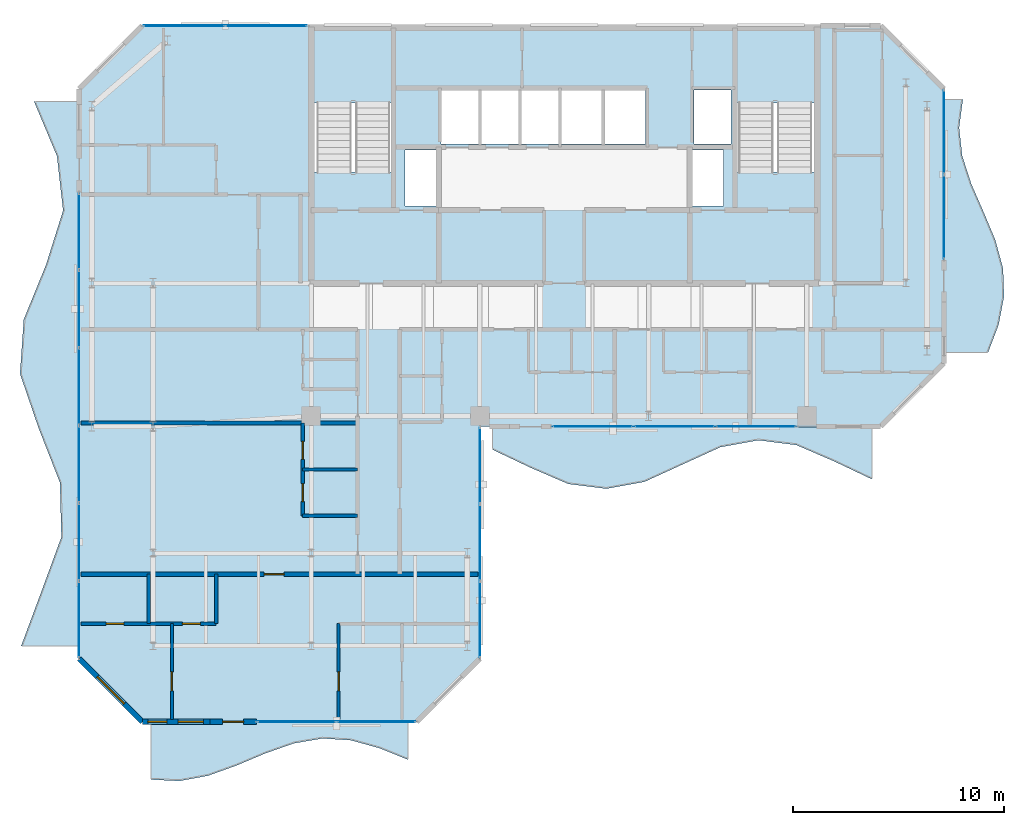
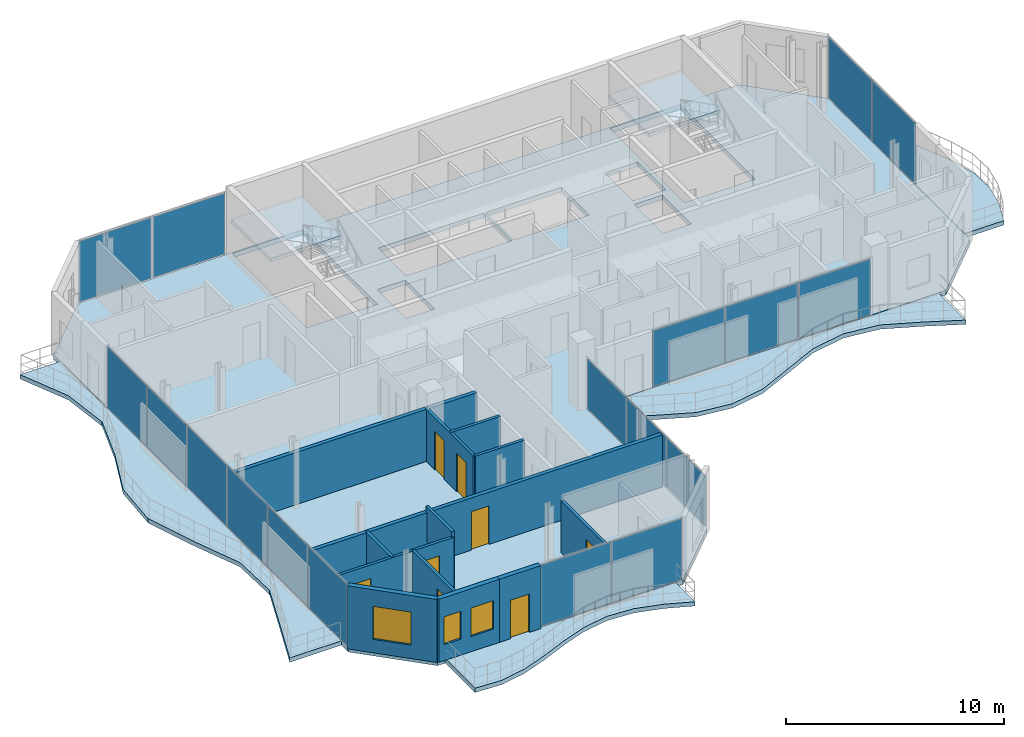
# One storey, part 17 of 22: 18 plates, 13 walls, 8 doors, 7 slabs, 3 windows, 11 openings, 8 elements without a shape of their own.
"""IFC4 building model written with IfcOpenShell, lengths in metres."""

import ifcopenshell
import ifcopenshell.guid

model = None  # the IFC model being written
_history = None  # IfcOwnerHistory: only IFC2X3 demands one
_inside = {}  # id of a spatial element -> (the spatial element, [elements in it])
_under = {}  # id of a project, library or spatial element -> (it, [spatial elements below it])
_declared = {}  # id of a project -> (the project, [libraries it declares])
_typed = {}  # id of a type object -> (the type object, [elements of that type])
_made_of = {}  # id of a material, layer set ... -> (it, [elements and type objects made of it])


def new_model(schema):
    """Start an empty IFC model of exactly this schema.

    Asked for "IFC4X3", IfcOpenShell would pick the latest addendum, in which some entities
    have other attributes; the version numbers below select the first issue.
    IFC2X3 requires an IfcOwnerHistory on every rooted entity: one is made here for all.
    """
    global model, _history
    if schema == "IFC4X3":
        model = ifcopenshell.file(schema_version=(4, 3, 0, 0))
    else:
        model = ifcopenshell.file(schema=schema)
    _inside.clear()
    _under.clear()
    _declared.clear()
    _typed.clear()
    _made_of.clear()
    _history = None
    if model.schema == "IFC2X3":
        org = make("IfcOrganization", Name="unknown")
        user = make(
            "IfcPersonAndOrganization",
            ThePerson=make("IfcPerson", FamilyName="unknown"),
            TheOrganization=org,
        )
        app = make(
            "IfcApplication",
            ApplicationDeveloper=org,
            Version="unknown",
            ApplicationFullName="unknown",
            ApplicationIdentifier="unknown",
        )
        _history = make(
            "IfcOwnerHistory",
            OwningUser=user,
            OwningApplication=app,
            ChangeAction="ADDED",
            CreationDate=0,
        )
    return model


def make(cls, **values):
    """One entity of the class cls with the attributes given. An attribute that is None is left unset."""
    return model.create_entity(
        cls, **{name: value for name, value in values.items() if value is not None}
    )


def rooted(cls, **values):
    """An entity with a GlobalId (a new one), such as an element, a storey or a relation."""
    return make(cls, GlobalId=ifcopenshell.guid.new(), OwnerHistory=_history, **values)


def si_unit(unit_type, name, prefix=None):
    """IfcSIUnit, for example si_unit("LENGTHUNIT", "METRE", prefix="MILLI")."""
    return make("IfcSIUnit", UnitType=unit_type, Prefix=prefix, Name=name)


def assignment(units):
    """IfcUnitAssignment: the units of a project."""
    return None if units is None else make("IfcUnitAssignment", Units=units)


def point(xyz):
    """IfcCartesianPoint."""
    return None if xyz is None else make("IfcCartesianPoint", Coordinates=xyz)


def direction(xyz):
    """IfcDirection."""
    return None if xyz is None else make("IfcDirection", DirectionRatios=xyz)


def frame(location, z_axis=None, x_axis=None):
    """IfcAxis2Placement3D, a coordinate frame: its origin and axes. An axis left out is left unset."""
    return make(
        "IfcAxis2Placement3D",
        Location=point(location),
        Axis=direction(z_axis),
        RefDirection=direction(x_axis),
    )


def frame_2d(location, x_axis=None):
    """IfcAxis2Placement2D, a coordinate frame in the plane: its origin and x axis."""
    return make(
        "IfcAxis2Placement2D", Location=point(location), RefDirection=direction(x_axis)
    )


def origin():
    """The frame at (0, 0, 0) with its axes left unset."""
    return frame((0.0, 0.0, 0.0))


def origin_2d():
    """The frame at (0, 0) in the plane with its x axis left unset."""
    return frame_2d((0.0, 0.0))


def place(relative_to, where):
    """IfcLocalPlacement: puts the frame where relative to a parent placement (None: the world)."""
    return make(
        "IfcLocalPlacement", PlacementRelTo=relative_to, RelativePlacement=where
    )


def context(
    kind, dimensions, precision=None, world=None, true_north=None, identifier=None
):
    """IfcGeometricRepresentationContext, for example the 3D "Model" context."""
    return make(
        "IfcGeometricRepresentationContext",
        ContextIdentifier=identifier,
        ContextType=kind,
        CoordinateSpaceDimension=dimensions,
        Precision=precision,
        WorldCoordinateSystem=world,
        TrueNorth=true_north,
    )


def subcontext(parent, identifier, kind, view, scale=None):
    """IfcGeometricRepresentationSubContext, for example "Body" below "Model"."""
    return make(
        "IfcGeometricRepresentationSubContext",
        ContextIdentifier=identifier,
        ContextType=kind,
        ParentContext=parent,
        TargetScale=scale,
        TargetView=view,
    )


def project(units=None, contexts=None):
    """IfcProject with its units and contexts."""
    return rooted(
        "IfcProject",
        Name="project",
        RepresentationContexts=contexts,
        UnitsInContext=assignment(units),
    )


def spatial(cls, under=None, at=None, **own):
    """A site, building, storey or space (cls), placed at a placement, below another one or the project."""
    s = rooted(cls, ObjectPlacement=at, **own)
    if under is not None:
        _under.setdefault(under.id(), (under, []))[1].append(s)
    return s


def polyline(points):
    """IfcPolyline through the points."""
    return make("IfcPolyline", Points=[point(p) for p in points])


def profile(cls, at=None, kind="AREA", **sizes):
    """A parametric profile (cls). Its sizes go by their IFC names, for example OverallWidth=200.0."""
    return make(cls, ProfileType=kind, Position=at, **sizes)


def rectangle(**sizes):
    """IfcRectangleProfileDef."""
    return profile("IfcRectangleProfileDef", **sizes)


def outline(outer, holes=None, kind="AREA"):
    """IfcArbitraryClosedProfileDef: a profile drawn as a closed curve; with holes, ...WithVoids."""
    if holes is None:
        return make("IfcArbitraryClosedProfileDef", ProfileType=kind, OuterCurve=outer)
    return make(
        "IfcArbitraryProfileDefWithVoids",
        ProfileType=kind,
        OuterCurve=outer,
        InnerCurves=holes,
    )


def extrude(swept, where, along, depth):
    """IfcExtrudedAreaSolid: the profile swept, set in the frame where, extruded along a direction by depth."""
    return make(
        "IfcExtrudedAreaSolid",
        SweptArea=swept,
        Position=where,
        ExtrudedDirection=direction(along),
        Depth=depth,
    )


def shape(context_of_items, identifier, shape_type, items):
    """IfcShapeRepresentation: the items that make up one representation, for example the "Body"."""
    return make(
        "IfcShapeRepresentation",
        ContextOfItems=context_of_items,
        RepresentationIdentifier=identifier,
        RepresentationType=shape_type,
        Items=items,
    )


def material(Name=None, Category=None):
    """IfcMaterial."""
    return make("IfcMaterial", Name=Name, Category=Category)


def layer(
    of_material, thickness, ventilated=None, Name=None, Category=None, Priority=None
):
    """IfcMaterialLayer: one layer of a wall or slab, of a material (None: an air gap)."""
    return make(
        "IfcMaterialLayer",
        Material=of_material,
        LayerThickness=thickness,
        IsVentilated=ventilated,
        Name=Name,
        Category=Category,
        Priority=Priority,
    )


def layer_set(layers, Name=None):
    """IfcMaterialLayerSet."""
    return make("IfcMaterialLayerSet", MaterialLayers=layers, LayerSetName=Name)


def made_of(thing, what):
    """Note that an element or type object is made of a material, layer set ...; save() writes the relation."""
    if what is not None:
        _made_of.setdefault(what.id(), (what, []))[1].append(thing)
    return thing


def type_object(cls, material=None, **own):
    """A type object (cls), such as IfcWallType, which elements share."""
    return made_of(rooted(cls, **own), material)


def element(
    cls,
    number,
    at=None,
    inside=None,
    cuts=None,
    type_object=None,
    material=None,
    context=None,
    identifier="Body",
    shape_type=None,
    held_by="IfcProductDefinitionShape",
    body=None,
    shapes=None,
    **own,
):
    """One element of the class cls, such as IfcWall. Its Tag is "e" and its number.

    at: its placement. inside: the storey or other place that contains it. cuts: it is an
    opening in that element (IfcRelVoidsElement). A single representation is given by context,
    identifier, shape_type and body (its items); several are given by shapes. held_by: the class
    of the entity that holds the representations. save() writes the other relations.
    """
    e = rooted(cls, Tag="e%d" % number, ObjectPlacement=at, **own)
    if body is not None:
        shapes = [shape(context, identifier, shape_type, body)]
    if shapes is not None:
        e.Representation = make(held_by, Representations=shapes)
    if inside is not None:
        _inside.setdefault(inside.id(), (inside, []))[1].append(e)
    if cuts is not None:
        rooted(
            "IfcRelVoidsElement", RelatingBuildingElement=cuts, RelatedOpeningElement=e
        )
    if type_object is not None:
        _typed.setdefault(type_object.id(), (type_object, []))[1].append(e)
    return made_of(e, material)


def fill(opening, filler):
    """IfcRelFillsElement: the door or window that sits in an opening."""
    return rooted(
        "IfcRelFillsElement",
        RelatingOpeningElement=opening,
        RelatedBuildingElement=filler,
    )


def aggregate(whole, parts):
    """IfcRelAggregates: a whole, such as a stair, and the parts it consists of."""
    return rooted("IfcRelAggregates", RelatingObject=whole, RelatedObjects=parts)


def save(model, path):
    """Write the relations noted so far, then the file.

    IfcRelAggregates (storeys below a building ...), IfcRelContainedInSpatialStructure (elements
    in a storey), IfcRelDefinesByType, IfcRelAssociatesMaterial and IfcRelDeclares: one each for
    every whole, place, type object, material and project.
    """
    for whole, parts in _under.values():
        aggregate(whole, parts)
    for where, things in _inside.values():
        rooted(
            "IfcRelContainedInSpatialStructure",
            RelatedElements=things,
            RelatingStructure=where,
        )
    for kind, things in _typed.values():
        rooted("IfcRelDefinesByType", RelatedObjects=things, RelatingType=kind)
    for what, things in _made_of.values():
        rooted("IfcRelAssociatesMaterial", RelatedObjects=things, RelatingMaterial=what)
    for by, libraries in _declared.values():
        rooted("IfcRelDeclares", RelatingContext=by, RelatedDefinitions=libraries)
    model.write(path)


model = new_model("IFC4")

# Units and contexts
model_context = context("Model", 3, precision=1e-05, world=origin(), true_north=direction((0.0, 1.0)))
body_context = subcontext(model_context, "Body", "Model", "MODEL_VIEW")
ifc_project = project(units=[si_unit("LENGTHUNIT", "METRE"), si_unit("AREAUNIT", "SQUARE_METRE"), si_unit("VOLUMEUNIT", "CUBIC_METRE"), si_unit("PLANEANGLEUNIT", "RADIAN"), si_unit("MASSUNIT", "GRAM", prefix="KILO")], contexts=[model_context])

# Site, building, storey
site_placement = place(None, origin())
site = spatial("IfcSite", under=ifc_project, at=site_placement, CompositionType="ELEMENT")
building_placement = place(site_placement, origin())
building = spatial("IfcBuilding", under=site, at=building_placement, Name="Catumbela Crestline Tower", CompositionType="ELEMENT")
storey_placement = place(building_placement, frame((0.0, 0.0, 233.6)))
storey = spatial("IfcBuildingStorey", under=building, at=storey_placement, Name="L60", CompositionType="ELEMENT", Elevation=233.6)

# Curtain wall, plates
ifc_material_1 = material(Name="Aluminium alloy AW-6060-T66", Category="aluminium")
ifc_layer_1 = layer(ifc_material_1, 0.18, Name="Aluminium alloy AW-6060-T66")
ifc_layer_set_1 = layer_set([ifc_layer_1], Name="Aluminium alloy AW-6060-T66")
curtain_wall_type = type_object("IfcCurtainWallType", Name="CWU-Z4", PredefinedType="USERDEFINED", material=ifc_layer_set_1)
curtain_wall_1_placement = place(storey_placement, origin())
curtain_wall_1 = element("IfcCurtainWall", 1, at=curtain_wall_1_placement, inside=storey, type_object=curtain_wall_type, Name="L60 Unitised Curtain Wall CW-L60-E0S2", ObjectType="UNITISED", PredefinedType="USERDEFINED")
ifc_material_2 = material(Name="Low-E laminated solar-control double glazing", Category="glass")
ifc_layer_2 = layer(ifc_material_2, 0.036, Name="Low-E laminated solar-control double glazing")
ifc_layer_set_2 = layer_set([ifc_layer_2], Name="Low-E laminated solar-control double glazing")
plate_type = type_object("IfcPlateType", Name="PNL-GLZ-Z4", PredefinedType="CURTAIN_PANEL", material=ifc_layer_set_2)
plate_1_placement = place(storey_placement, frame((15.3162, 10.0, 0.06), z_axis=(0.0, 0.0, 1.0), x_axis=(1.0, 0.0, 0.0)))
plate_1 = element("IfcPlate", 2, at=plate_1_placement, type_object=plate_type, Name="CWU-Z4 panel 1.1", PredefinedType="CURTAIN_PANEL", context=body_context, shape_type="SweptSolid", body=[
    extrude(rectangle(XDim=3.7025, YDim=0.034, at=origin_2d()), origin(), (0.0, 0.0, 1.0), 3.41),
])
plate_2_placement = place(storey_placement, frame((19.0837, 10.0, 0.06), z_axis=(0.0, 0.0, 1.0), x_axis=(1.0, 0.0, 0.0)))
plate_2 = element("IfcPlate", 3, at=plate_2_placement, type_object=plate_type, Name="CWU-Z4 panel 2.1", PredefinedType="CURTAIN_PANEL", context=body_context, shape_type="SweptSolid", body=[
    extrude(rectangle(XDim=3.7025, YDim=0.034, at=origin_2d()), origin(), (0.0, 0.0, 1.0), 3.41),
])
aggregate(curtain_wall_1, [plate_1, plate_2])

curtain_wall_2_placement = place(storey_placement, origin())
curtain_wall_2 = element("IfcCurtainWall", 4, at=curtain_wall_2_placement, inside=storey, type_object=curtain_wall_type, Name="L60 Unitised Curtain Wall CW-L60-E2S1", ObjectType="UNITISED", PredefinedType="USERDEFINED")
plate_3_placement = place(storey_placement, frame((24.0, 14.8496, 0.06), z_axis=(0.0, 0.0, 1.0), x_axis=(0.0, 1.0, 0.0)))
plate_3 = element("IfcPlate", 5, at=plate_3_placement, type_object=plate_type, Name="CWU-Z4 panel 1.1", PredefinedType="CURTAIN_PANEL", context=body_context, shape_type="SweptSolid", body=[
    extrude(rectangle(XDim=3.5692, YDim=0.034, at=origin_2d()), origin(), (0.0, 0.0, 1.0), 2.8),
])
plate_4_placement = place(storey_placement, frame((24.0, 18.5, 0.06), z_axis=(0.0, 0.0, 1.0), x_axis=(0.0, 1.0, 0.0)))
plate_4 = element("IfcPlate", 6, at=plate_4_placement, type_object=plate_type, Name="CWU-Z4 panel 2.1", PredefinedType="CURTAIN_PANEL", context=body_context, shape_type="SweptSolid", body=[
    extrude(rectangle(XDim=3.6017, YDim=0.034, at=origin_2d()), origin(), (0.0, 0.0, 1.0), 2.8),
])
plate_5_placement = place(storey_placement, frame((24.0, 22.1504, 0.06), z_axis=(0.0, 0.0, 1.0), x_axis=(0.0, 1.0, 0.0)))
plate_5 = element("IfcPlate", 7, at=plate_5_placement, type_object=plate_type, Name="CWU-Z4 panel 3.1", PredefinedType="CURTAIN_PANEL", context=body_context, shape_type="SweptSolid", body=[
    extrude(rectangle(XDim=3.5692, YDim=0.034, at=origin_2d()), origin(), (0.0, 0.0, 1.0), 2.8),
])
aggregate(curtain_wall_2, [plate_3, plate_4, plate_5])

curtain_wall_3_placement = place(storey_placement, origin())
curtain_wall_3 = element("IfcCurtainWall", 8, at=curtain_wall_3_placement, inside=storey, type_object=curtain_wall_type, Name="L60 Unitised Curtain Wall CW-L60-E3S2", ObjectType="UNITISED", PredefinedType="USERDEFINED")
plate_6_placement = place(storey_placement, frame((29.3579, 24.0, 0.06), z_axis=(0.0, 0.0, 1.0), x_axis=(1.0, 0.0, 0.0)))
plate_6 = element("IfcPlate", 9, at=plate_6_placement, type_object=plate_type, Name="CWU-Z4 panel 1.1", PredefinedType="CURTAIN_PANEL", context=body_context, shape_type="SweptSolid", body=[
    extrude(rectangle(XDim=3.7858, YDim=0.034, at=origin_2d()), origin(), (0.0, 0.0, 1.0), 3.12),
])
plate_7_placement = place(storey_placement, frame((33.225, 24.0, 0.06), z_axis=(0.0, 0.0, 1.0), x_axis=(1.0, 0.0, 0.0)))
plate_7 = element("IfcPlate", 10, at=plate_7_placement, type_object=plate_type, Name="CWU-Z4 panel 2.1", PredefinedType="CURTAIN_PANEL", context=body_context, shape_type="SweptSolid", body=[
    extrude(rectangle(XDim=3.8183, YDim=0.034, at=origin_2d()), origin(), (0.0, 0.0, 1.0), 3.12),
])
plate_8_placement = place(storey_placement, frame((37.0921, 24.0, 0.06), z_axis=(0.0, 0.0, 1.0), x_axis=(1.0, 0.0, 0.0)))
plate_8 = element("IfcPlate", 11, at=plate_8_placement, type_object=plate_type, Name="CWU-Z4 panel 3.1", PredefinedType="CURTAIN_PANEL", context=body_context, shape_type="SweptSolid", body=[
    extrude(rectangle(XDim=3.7858, YDim=0.034, at=origin_2d()), origin(), (0.0, 0.0, 1.0), 3.12),
])
aggregate(curtain_wall_3, [plate_6, plate_7, plate_8])

curtain_wall_4_placement = place(storey_placement, origin())
curtain_wall_4 = element("IfcCurtainWall", 12, at=curtain_wall_4_placement, inside=storey, type_object=curtain_wall_type, Name="L60 Unitised Curtain Wall CW-L60-E5S2", ObjectType="UNITISED", PredefinedType="USERDEFINED")
plate_9_placement = place(storey_placement, frame((46.0, 33.9412, 0.06), z_axis=(0.0, 0.0, 1.0), x_axis=(0.0, 1.0, 0.0)))
plate_9 = element("IfcPlate", 13, at=plate_9_placement, type_object=plate_type, Name="CWU-Z4 panel 1.1", PredefinedType="CURTAIN_PANEL", context=body_context, shape_type="SweptSolid", body=[
    extrude(rectangle(XDim=3.9525, YDim=0.034, at=origin_2d()), origin(), (0.0, 0.0, 1.0), 3.41),
])
plate_10_placement = place(storey_placement, frame((46.0, 37.9588, 0.06), z_axis=(0.0, 0.0, 1.0), x_axis=(0.0, 1.0, 0.0)))
plate_10 = element("IfcPlate", 14, at=plate_10_placement, type_object=plate_type, Name="CWU-Z4 panel 2.1", PredefinedType="CURTAIN_PANEL", context=body_context, shape_type="SweptSolid", body=[
    extrude(rectangle(XDim=3.9525, YDim=0.034, at=origin_2d()), origin(), (0.0, 0.0, 1.0), 3.41),
])
aggregate(curtain_wall_4, [plate_9, plate_10])

curtain_wall_5_placement = place(storey_placement, origin())
curtain_wall_5 = element("IfcCurtainWall", 15, at=curtain_wall_5_placement, inside=storey, type_object=curtain_wall_type, Name="L60 Unitised Curtain Wall CW-L60-E7S2", ObjectType="UNITISED", PredefinedType="USERDEFINED")
plate_11_placement = place(storey_placement, frame((13.8788, 43.0, 0.06), z_axis=(0.0, 0.0, 1.0), x_axis=(-1.0, 0.0, 0.0)))
plate_11 = element("IfcPlate", 16, at=plate_11_placement, type_object=plate_type, Name="CWU-Z4 panel 1.1", PredefinedType="CURTAIN_PANEL", context=body_context, shape_type="SweptSolid", body=[
    extrude(rectangle(XDim=3.8325, YDim=0.034, at=origin_2d()), origin(), (0.0, 0.0, 1.0), 3.41),
])
plate_12_placement = place(storey_placement, frame((9.9812, 43.0, 0.06), z_axis=(0.0, 0.0, 1.0), x_axis=(-1.0, 0.0, 0.0)))
plate_12 = element("IfcPlate", 17, at=plate_12_placement, type_object=plate_type, Name="CWU-Z4 panel 2.1", PredefinedType="CURTAIN_PANEL", context=body_context, shape_type="SweptSolid", body=[
    extrude(rectangle(XDim=3.8325, YDim=0.034, at=origin_2d()), origin(), (0.0, 0.0, 1.0), 3.41),
])
aggregate(curtain_wall_5, [plate_11, plate_12])

curtain_wall_6_placement = place(storey_placement, origin())
curtain_wall_6 = element("IfcCurtainWall", 18, at=curtain_wall_6_placement, inside=storey, type_object=curtain_wall_type, Name="L60 Unitised Curtain Wall CW-L60-E9S2", ObjectType="UNITISED", PredefinedType="USERDEFINED")
plate_13_placement = place(storey_placement, frame((5.0, 33.2421, 0.06), z_axis=(0.0, 0.0, 1.0), x_axis=(0.0, -1.0, 0.0)))
plate_13 = element("IfcPlate", 19, at=plate_13_placement, type_object=plate_type, Name="CWU-Z4 panel 1.1", PredefinedType="CURTAIN_PANEL", context=body_context, shape_type="SweptSolid", body=[
    extrude(rectangle(XDim=3.5858, YDim=0.034, at=origin_2d()), origin(), (0.0, 0.0, 1.0), 3.41),
])
plate_14_placement = place(storey_placement, frame((5.0, 29.575, 0.06), z_axis=(0.0, 0.0, 1.0), x_axis=(0.0, -1.0, 0.0)))
plate_14 = element("IfcPlate", 20, at=plate_14_placement, type_object=plate_type, Name="CWU-Z4 panel 2.1", PredefinedType="CURTAIN_PANEL", context=body_context, shape_type="SweptSolid", body=[
    extrude(rectangle(XDim=3.6183, YDim=0.034, at=origin_2d()), origin(), (0.0, 0.0, 1.0), 3.41),
])
plate_15_placement = place(storey_placement, frame((5.0, 25.8917, 0.06), z_axis=(0.0, 0.0, 1.0), x_axis=(0.0, -1.0, 0.0)))
plate_15 = element("IfcPlate", 21, at=plate_15_placement, type_object=plate_type, Name="CWU-Z4 panel 3.1", PredefinedType="CURTAIN_PANEL", context=body_context, shape_type="SweptSolid", body=[
    extrude(rectangle(XDim=3.6183, YDim=0.034, at=origin_2d()), origin(), (0.0, 0.0, 1.0), 3.41),
])
plate_16_placement = place(storey_placement, frame((5.0, 22.2083, 0.06), z_axis=(0.0, 0.0, 1.0), x_axis=(0.0, -1.0, 0.0)))
plate_16 = element("IfcPlate", 22, at=plate_16_placement, type_object=plate_type, Name="CWU-Z4 panel 4.1", PredefinedType="CURTAIN_PANEL", context=body_context, shape_type="SweptSolid", body=[
    extrude(rectangle(XDim=3.6183, YDim=0.034, at=origin_2d()), origin(), (0.0, 0.0, 1.0), 3.41),
])
plate_17_placement = place(storey_placement, frame((5.0, 18.525, 0.06), z_axis=(0.0, 0.0, 1.0), x_axis=(0.0, -1.0, 0.0)))
plate_17 = element("IfcPlate", 23, at=plate_17_placement, type_object=plate_type, Name="CWU-Z4 panel 5.1", PredefinedType="CURTAIN_PANEL", context=body_context, shape_type="SweptSolid", body=[
    extrude(rectangle(XDim=3.6183, YDim=0.034, at=origin_2d()), origin(), (0.0, 0.0, 1.0), 3.41),
])
plate_18_placement = place(storey_placement, frame((5.0, 14.8579, 0.06), z_axis=(0.0, 0.0, 1.0), x_axis=(0.0, -1.0, 0.0)))
plate_18 = element("IfcPlate", 24, at=plate_18_placement, type_object=plate_type, Name="CWU-Z4 panel 6.1", PredefinedType="CURTAIN_PANEL", context=body_context, shape_type="SweptSolid", body=[
    extrude(rectangle(XDim=3.5858, YDim=0.034, at=origin_2d()), origin(), (0.0, 0.0, 1.0), 3.41),
])
aggregate(curtain_wall_6, [plate_13, plate_14, plate_15, plate_16, plate_17, plate_18])

# Stair, slab
ifc_material_3 = material(Name="Concrete C45/55", Category="concrete")
stair_type = type_object("IfcStairType", Name="ST-DLG", PredefinedType="HALF_TURN_STAIR", material=ifc_material_3)
stair_1_placement = place(storey_placement, origin())
stair_1 = element("IfcStair", 25, at=stair_1_placement, inside=storey, type_object=stair_type, Name="L60 West Core Pressurised Exit Stair ST-01", PredefinedType="HALF_TURN_STAIR")
ifc_layer_3 = layer(ifc_material_3, 0.2, Name="Concrete C45/55")
ifc_layer_set_3 = layer_set([ifc_layer_3], Name="Concrete C45/55")
slab_type_1 = type_object("IfcSlabType", Name="SL-LND", PredefinedType="LANDING", material=ifc_layer_set_3)
slab_1_placement = place(storey_placement, frame((0.0, 0.0, 1.7)))
slab_1 = element("IfcSlab", 26, at=slab_1_placement, type_object=slab_type_1, Name="ST-01 landing 1", PredefinedType="LANDING", context=body_context, shape_type="SweptSolid", body=[
    extrude(outline(polyline([(19.91, 39.33), (19.91, 42.96), (16.09, 42.96), (16.09, 39.33), (19.91, 39.33)])), origin(), (0.0, 0.0, 1.0), 0.2),
])
aggregate(stair_1, [slab_1])

stair_2_placement = place(storey_placement, origin())
stair_2 = element("IfcStair", 27, at=stair_2_placement, inside=storey, type_object=stair_type, Name="L60 East Core Pressurised Exit Stair ST-02", PredefinedType="HALF_TURN_STAIR")
slab_2_placement = place(storey_placement, frame((0.0, 0.0, 1.7)))
slab_2 = element("IfcSlab", 28, at=slab_2_placement, type_object=slab_type_1, Name="ST-02 landing 1", PredefinedType="LANDING", context=body_context, shape_type="SweptSolid", body=[
    extrude(outline(polyline([(39.91, 39.33), (39.91, 42.96), (36.09, 42.96), (36.09, 39.33), (39.91, 39.33)])), origin(), (0.0, 0.0, 1.0), 0.2),
])
aggregate(stair_2, [slab_2])

# Slabs
ifc_layer_4 = layer(ifc_material_3, 0.26, Name="Concrete C45/55")
ifc_layer_set_4 = layer_set([ifc_layer_4], Name="Concrete C45/55")
slab_type_2 = type_object("IfcSlabType", Name="SL-260", PredefinedType="FLOOR", material=ifc_layer_set_4)
slab_3_placement = place(storey_placement, frame((0.0, 0.0, -0.26)))
element("IfcSlab", 29, at=slab_3_placement, inside=storey, type_object=slab_type_2, Name="L60 Structural Floor Slab", PredefinedType="FLOOR", context=body_context, shape_type="SweptSolid", body=[
    extrude(outline(polyline([(8.0, 10.0), (21.0, 10.0), (24.0, 13.0), (24.0, 24.0), (43.0, 24.0), (46.0, 27.0), (46.0, 40.0), (43.0, 43.0), (8.0, 43.0), (5.0, 40.0), (5.0, 13.0), (8.0, 10.0)]), holes=[polyline([(16.13, 36.08), (19.87, 36.08), (19.87, 42.92), (16.13, 42.92), (16.13, 36.08)]), polyline([(36.13, 36.08), (39.87, 36.08), (39.87, 42.92), (36.13, 42.92), (36.13, 36.08)]), polyline([(22.15, 37.4), (27.75, 37.4), (27.75, 39.95), (22.15, 39.95), (22.15, 37.4)]), polyline([(27.85, 37.4), (31.85, 37.4), (31.85, 39.95), (27.85, 39.95), (27.85, 37.4)]), polyline([(20.45, 34.45), (21.95, 34.45), (21.95, 37.1), (20.45, 37.1), (20.45, 34.45)]), polyline([(34.05, 34.45), (35.55, 34.45), (35.55, 37.1), (34.05, 37.1), (34.05, 34.45)]), polyline([(34.15, 37.4), (35.9, 37.4), (35.9, 39.95), (34.15, 39.95), (34.15, 37.4)])]), origin(), (0.0, 0.0, 1.0), 0.26),
])
ifc_layer_5 = layer(ifc_material_3, 0.24, Name="Concrete C45/55")
ifc_layer_set_5 = layer_set([ifc_layer_5], Name="Concrete C45/55")
slab_type_3 = type_object("IfcSlabType", Name="SB-240W", PredefinedType="USERDEFINED", material=ifc_layer_set_5)
slab_4_placement = place(storey_placement, frame((0.0, 0.0, -0.24)))
element("IfcSlab", 30, at=slab_4_placement, inside=storey, type_object=slab_type_3, Name="L60 Cantilevered Wave Balcony Slab SPINE-S", ObjectType="BALCONY", PredefinedType="USERDEFINED", context=body_context, shape_type="SweptSolid", body=[
    extrude(outline(polyline([(24.6, 22.9053), (26.4, 22.0496), (28.2, 21.2754), (30.0, 21.05), (31.8, 21.3785), (33.6, 22.2), (35.4, 23.0215), (37.2, 23.35), (39.0, 23.1246), (40.8, 22.3504), (42.6, 21.4947), (42.6, 23.99), (24.6, 23.99), (24.6, 22.9053)])), origin(), (0.0, 0.0, 1.0), 0.24),
])
slab_5_placement = place(storey_placement, frame((0.0, 0.0, -0.24)))
element("IfcSlab", 31, at=slab_5_placement, inside=storey, type_object=slab_type_3, Name="L60 Cantilevered Wave Balcony Slab SPINE-E", ObjectType="BALCONY", PredefinedType="USERDEFINED", context=body_context, shape_type="SweptSolid", body=[
    extrude(outline(polyline([(46.01, 27.5), (48.0898, 27.5), (48.5971, 28.8333), (48.85, 30.1667), (48.8044, 31.5), (48.4414, 32.8333), (47.8835, 34.1667), (47.3002, 35.5), (46.8688, 36.8333), (46.7204, 38.1667), (46.9001, 39.5), (46.01, 39.5), (46.01, 27.5)])), origin(), (0.0, 0.0, 1.0), 0.24),
])
slab_6_placement = place(storey_placement, frame((0.0, 0.0, -0.24)))
element("IfcSlab", 32, at=slab_6_placement, inside=storey, type_object=slab_type_3, Name="L60 Cantilevered Wave Balcony Slab WING-S", ObjectType="BALCONY", PredefinedType="USERDEFINED", context=body_context, shape_type="SweptSolid", body=[
    extrude(outline(polyline([(8.4, 7.2602), (9.7556, 7.1945), (11.1111, 7.4444), (12.4667, 7.9314), (13.8222, 8.5027), (15.1778, 8.9791), (16.5333, 9.2109), (17.8889, 9.1254), (19.2444, 8.7496), (20.6, 8.2012), (20.6, 9.99), (8.4, 9.99), (8.4, 7.2602)])), origin(), (0.0, 0.0, 1.0), 0.24),
])
slab_7_placement = place(storey_placement, frame((0.0, 0.0, -0.24)))
element("IfcSlab", 33, at=slab_7_placement, inside=storey, type_object=slab_type_3, Name="L60 Cantilevered Wave Balcony Slab WEST", ObjectType="BALCONY", PredefinedType="USERDEFINED", context=body_context, shape_type="SweptSolid", body=[
    extrude(outline(polyline([(4.99, 39.4), (2.8681, 39.4), (3.9505, 36.82), (4.2385, 34.24), (3.4271, 31.66), (2.3753, 29.08), (2.1965, 26.5), (3.08, 23.92), (4.0905, 21.34), (4.1583, 18.76), (3.2117, 16.18), (2.2527, 13.6), (4.99, 13.6), (4.99, 39.4)])), origin(), (0.0, 0.0, 1.0), 0.24),
])

# Wall, opening, door
ifc_material_4 = material(Name="Angolan grey-ochre granite", Category="masonry")
ifc_layer_6 = layer(ifc_material_4, 0.25, Name="Angolan grey-ochre granite")
ifc_layer_set_6 = layer_set([ifc_layer_6], Name="Angolan grey-ochre granite")
wall_type_1 = type_object("IfcWallType", Name="WE-250", PredefinedType="STANDARD", material=ifc_layer_set_6)
wall_1_placement = place(storey_placement, frame((11.2, 10.0, 0.0), z_axis=(0.0, 0.0, 1.0), x_axis=(1.0, 0.0, 0.0)))
wall_1 = element("IfcWall", 34, at=wall_1_placement, inside=storey, type_object=wall_type_1, Name="L60 Exterior Threshold Portal Wall DR-L60-WBAL-3", PredefinedType="STANDARD", context=body_context, shape_type="SweptSolid", body=[
    extrude(rectangle(XDim=2.2, YDim=0.25, at=frame_2d((1.1, 0.0))), origin(), (0.0, 0.0, 1.0), 3.53),
])
opening_1_placement = place(wall_1_placement, frame((0.6, 0.0, 0.0)))
opening_1 = element("IfcOpeningElement", 35, at=opening_1_placement, cuts=wall_1, Name="Opening DB-L60-3", PredefinedType="OPENING", context=body_context, shape_type="SweptSolid", body=[
    extrude(rectangle(XDim=1.0, YDim=2.15, at=frame_2d((0.5, 1.075))), frame((0.0, 0.135, 0.0), z_axis=(0.0, -1.0, 0.0), x_axis=(1.0, 0.0, 0.0)), (0.0, 0.0, 1.0), 0.27),
])
door_type_1 = type_object("IfcDoorType", Name="DB-1000", OperationType="NOTDEFINED", PredefinedType="DOOR", material=ifc_material_1)
door_1_placement = place(opening_1_placement, origin())
door_1 = element("IfcDoor", 36, at=door_1_placement, inside=storey, type_object=door_type_1, Name="L60 Wave Balcony Terrace Door 3", OperationType="SINGLE_SWING_RIGHT", OverallHeight=2.15, OverallWidth=1.0, PredefinedType="DOOR", context=body_context, shape_type="SweptSolid", body=[
    extrude(rectangle(XDim=1.0, YDim=2.15, at=frame_2d((0.5, 1.075))), frame((0.0, 0.025, 0.0), z_axis=(0.0, -1.0, 0.0), x_axis=(1.0, 0.0, 0.0)), (0.0, 0.0, 1.0), 0.05),
])
fill(opening_1, door_1)

# Wall, openings, windows
wall_2_placement = place(storey_placement, frame((8.0, 10.0, 0.0), z_axis=(0.0, 0.0, 1.0), x_axis=(1.0, 0.0, 0.0)))
wall_2 = element("IfcWall", 37, at=wall_2_placement, inside=storey, type_object=wall_type_1, Name="L60 Granite Punched Window Wall 0-1", PredefinedType="STANDARD", context=body_context, shape_type="SweptSolid", body=[
    extrude(rectangle(XDim=3.2, YDim=0.25, at=frame_2d((1.6, 0.0))), origin(), (0.0, 0.0, 1.0), 3.53),
])
opening_2_placement = place(wall_2_placement, frame((0.26, 0.0, 0.9)))
opening_2 = element("IfcOpeningElement", 38, at=opening_2_placement, cuts=wall_2, Name="Opening WN-03", PredefinedType="OPENING", context=body_context, shape_type="SweptSolid", body=[
    extrude(rectangle(XDim=0.9, YDim=1.55, at=frame_2d((0.45, 0.775))), frame((0.0, 0.135, 0.0), z_axis=(0.0, -1.0, 0.0), x_axis=(1.0, 0.0, 0.0)), (0.0, 0.0, 1.0), 0.27),
])
opening_3_placement = place(wall_2_placement, frame((1.69, 0.0, 0.85)))
opening_3 = element("IfcOpeningElement", 39, at=opening_3_placement, cuts=wall_2, Name="Opening WN-02", PredefinedType="OPENING", context=body_context, shape_type="SweptSolid", body=[
    extrude(rectangle(XDim=1.2, YDim=1.6, at=frame_2d((0.6, 0.8))), frame((0.0, 0.135, 0.0), z_axis=(0.0, -1.0, 0.0), x_axis=(1.0, 0.0, 0.0)), (0.0, 0.0, 1.0), 0.27),
])
window_type_1 = type_object("IfcWindowType", Name="WO-0900", PartitioningType="SINGLE_PANEL", PredefinedType="WINDOW", material=ifc_material_2)
window_1_placement = place(opening_2_placement, origin())
window_1 = element("IfcWindow", 40, at=window_1_placement, inside=storey, type_object=window_type_1, Name="L60 Facade Vision Window 429", OverallHeight=1.55, OverallWidth=0.9, PartitioningType="SINGLE_PANEL", PredefinedType="WINDOW", context=body_context, shape_type="SweptSolid", body=[
    extrude(rectangle(XDim=0.9, YDim=1.55, at=frame_2d((0.45, 0.775))), frame((0.0, 0.03, 0.0), z_axis=(0.0, -1.0, 0.0), x_axis=(1.0, 0.0, 0.0)), (0.0, 0.0, 1.0), 0.06),
])
fill(opening_2, window_1)
window_type_2 = type_object("IfcWindowType", Name="WO-1200", PartitioningType="SINGLE_PANEL", PredefinedType="WINDOW", material=ifc_material_2)
window_2_placement = place(opening_3_placement, origin())
window_2 = element("IfcWindow", 41, at=window_2_placement, inside=storey, type_object=window_type_2, Name="L60 Facade Vision Window 430", OverallHeight=1.6, OverallWidth=1.2, PartitioningType="SINGLE_PANEL", PredefinedType="WINDOW", context=body_context, shape_type="SweptSolid", body=[
    extrude(rectangle(XDim=1.2, YDim=1.6, at=frame_2d((0.6, 0.8))), frame((0.0, 0.03, 0.0), z_axis=(0.0, -1.0, 0.0), x_axis=(1.0, 0.0, 0.0)), (0.0, 0.0, 1.0), 0.06),
])
fill(opening_3, window_2)

# Wall, opening, window
wall_3_placement = place(storey_placement, frame((5.0, 13.0, 0.0), z_axis=(0.0, 0.0, 1.0), x_axis=(0.707106781187, -0.707106781187, 0.0)))
wall_3 = element("IfcWall", 42, at=wall_3_placement, inside=storey, type_object=wall_type_1, Name="L60 Granite Punched Window Wall 10-1", PredefinedType="STANDARD", context=body_context, shape_type="SweptSolid", body=[
    extrude(rectangle(XDim=4.2426, YDim=0.25, at=frame_2d((2.1213, 0.0))), origin(), (0.0, 0.0, 1.0), 3.53),
])
opening_4_placement = place(wall_3_placement, frame((1.2213, 0.0, 0.75)))
opening_4 = element("IfcOpeningElement", 43, at=opening_4_placement, cuts=wall_3, Name="Opening WN-01", PredefinedType="OPENING", context=body_context, shape_type="SweptSolid", body=[
    extrude(rectangle(XDim=1.8, YDim=1.85, at=frame_2d((0.9, 0.925))), frame((0.0, 0.135, 0.0), z_axis=(0.0, -1.0, 0.0), x_axis=(1.0, 0.0, 0.0)), (0.0, 0.0, 1.0), 0.27),
])
window_type_3 = type_object("IfcWindowType", Name="WF-1800", PartitioningType="SINGLE_PANEL", PredefinedType="WINDOW", material=ifc_material_2)
window_3_placement = place(opening_4_placement, origin())
window_3 = element("IfcWindow", 44, at=window_3_placement, inside=storey, type_object=window_type_3, Name="L60 Facade Vision Window 439", OverallHeight=1.85, OverallWidth=1.8, PartitioningType="SINGLE_PANEL", PredefinedType="WINDOW", context=body_context, shape_type="SweptSolid", body=[
    extrude(rectangle(XDim=1.8, YDim=1.85, at=frame_2d((0.9, 0.925))), frame((0.0, 0.03, 0.0), z_axis=(0.0, -1.0, 0.0), x_axis=(1.0, 0.0, 0.0)), (0.0, 0.0, 1.0), 0.06),
])
fill(opening_4, window_3)

# Walls
ifc_material_5 = material(Name="Acoustic gypsum and mineral-wool partition")
ifc_layer_7 = layer(ifc_material_5, 0.15, Name="Acoustic gypsum and mineral-wool partition")
ifc_layer_set_7 = layer_set([ifc_layer_7], Name="Acoustic gypsum and mineral-wool partition")
wall_type_2 = type_object("IfcWallType", Name="WP-150", PredefinedType="PARTITIONING", material=ifc_layer_set_7)
for number, where, z_axis, x_axis, name in (
    (45, (15.6, 19.768, 0.0), (0.0, 0.0, 1.0), (1.0, 0.0, 0.0), "L60 Interior Partition PW-L60-WL2-KBS"),
    (46, (15.6, 21.968, 0.0), (0.0, 0.0, 1.0), (1.0, 0.0, 0.0), "L60 Interior Partition PW-L60-WL2-KBM"),
):
    element("IfcWall", number, at=place(storey_placement, frame(where, z_axis=z_axis, x_axis=x_axis)), inside=storey, type_object=wall_type_2, Name=name, PredefinedType="PARTITIONING", context=body_context, shape_type="SweptSolid", body=[
        extrude(rectangle(XDim=2.6, YDim=0.15, at=frame_2d((1.3, 0.0))), origin(), (0.0, 0.0, 1.0), 2.92),
    ])

# Wall, openings, doors
wall_4_placement = place(storey_placement, frame((15.6, 19.768, 0.0), z_axis=(0.0, 0.0, 1.0), x_axis=(0.0, 1.0, 0.0)))
wall_4 = element("IfcWall", 47, at=wall_4_placement, inside=storey, type_object=wall_type_2, Name="L60 Interior Partition PW-L60-WL2-SK1", PredefinedType="PARTITIONING", context=body_context, shape_type="SweptSolid", body=[
    extrude(rectangle(XDim=4.4, YDim=0.15, at=frame_2d((2.2, 0.0))), origin(), (0.0, 0.0, 1.0), 2.92),
])
opening_5_placement = place(wall_4_placement, frame((0.675, 0.0, 0.0)))
opening_5 = element("IfcOpeningElement", 48, at=opening_5_placement, cuts=wall_4, Name="Opening DI-085", PredefinedType="OPENING", context=body_context, shape_type="SweptSolid", body=[
    extrude(rectangle(XDim=0.85, YDim=2.15, at=frame_2d((0.425, 1.075))), frame((0.0, 0.085, 0.0), z_axis=(0.0, -1.0, 0.0), x_axis=(1.0, 0.0, 0.0)), (0.0, 0.0, 1.0), 0.17),
])
opening_6_placement = place(wall_4_placement, frame((2.6767, 0.0, 0.0)))
opening_6 = element("IfcOpeningElement", 49, at=opening_6_placement, cuts=wall_4, Name="Opening DI-085", PredefinedType="OPENING", context=body_context, shape_type="SweptSolid", body=[
    extrude(rectangle(XDim=0.85, YDim=2.15, at=frame_2d((0.425, 1.075))), frame((0.0, 0.085, 0.0), z_axis=(0.0, -1.0, 0.0), x_axis=(1.0, 0.0, 0.0)), (0.0, 0.0, 1.0), 0.17),
])
door_type_2 = type_object("IfcDoorType", Name="DI-085", OperationType="NOTDEFINED", PredefinedType="DOOR", material=ifc_material_1)
door_2_placement = place(opening_5_placement, origin())
door_2 = element("IfcDoor", 50, at=door_2_placement, inside=storey, type_object=door_type_2, Name="L60 Interior Door DR-L60-WL2-KIT", OperationType="SINGLE_SWING_LEFT", OverallHeight=2.15, OverallWidth=0.85, PredefinedType="DOOR", context=body_context, shape_type="SweptSolid", body=[
    extrude(rectangle(XDim=0.85, YDim=2.15, at=frame_2d((0.425, 1.075))), frame((0.0, 0.025, 0.0), z_axis=(0.0, -1.0, 0.0), x_axis=(1.0, 0.0, 0.0)), (0.0, 0.0, 1.0), 0.05),
])
fill(opening_5, door_2)
door_3_placement = place(opening_6_placement, origin())
door_3 = element("IfcDoor", 51, at=door_3_placement, inside=storey, type_object=door_type_2, Name="L60 Interior Door DR-L60-WL2-BTH", OperationType="SINGLE_SWING_RIGHT", OverallHeight=2.15, OverallWidth=0.85, PredefinedType="DOOR", context=body_context, shape_type="SweptSolid", body=[
    extrude(rectangle(XDim=0.85, YDim=2.15, at=frame_2d((0.425, 1.075))), frame((0.0, 0.025, 0.0), z_axis=(0.0, -1.0, 0.0), x_axis=(1.0, 0.0, 0.0)), (0.0, 0.0, 1.0), 0.05),
])
fill(opening_6, door_3)

# Walls
wall_5_placement = place(storey_placement, frame((11.5, 14.65, 0.0), z_axis=(0.0, 0.0, 1.0), x_axis=(0.0, 1.0, 0.0)))
element("IfcWall", 52, at=wall_5_placement, inside=storey, type_object=wall_type_2, Name="L60 Interior Partition PW-L60-SH1-KBE", PredefinedType="PARTITIONING", context=body_context, shape_type="SweptSolid", body=[
    extrude(rectangle(XDim=2.35, YDim=0.15, at=frame_2d((1.175, 0.0))), origin(), (0.0, 0.0, 1.0), 3.22),
])
wall_6_placement = place(storey_placement, frame((8.3, 14.65, 0.0), z_axis=(0.0, 0.0, 1.0), x_axis=(0.0, 1.0, 0.0)))
element("IfcWall", 53, at=wall_6_placement, inside=storey, type_object=wall_type_2, Name="L60 Interior Partition PW-L60-SH1-KBM", PredefinedType="PARTITIONING", context=body_context, shape_type="SweptSolid", body=[
    extrude(rectangle(XDim=2.35, YDim=0.15, at=frame_2d((1.175, 0.0))), origin(), (0.0, 0.0, 1.0), 2.92),
])

# Wall, openings, doors
wall_7_placement = place(storey_placement, frame((5.1, 14.65, 0.0), z_axis=(0.0, 0.0, 1.0), x_axis=(1.0, 0.0, 0.0)))
wall_7 = element("IfcWall", 54, at=wall_7_placement, inside=storey, type_object=wall_type_2, Name="L60 Interior Partition PW-L60-SH1-KBD1", PredefinedType="PARTITIONING", context=body_context, shape_type="SweptSolid", body=[
    extrude(rectangle(XDim=6.4, YDim=0.15, at=frame_2d((3.2, 0.0))), origin(), (0.0, 0.0, 1.0), 2.92),
])
opening_7_placement = place(wall_7_placement, frame((1.175, 0.0, 0.0)))
opening_7 = element("IfcOpeningElement", 55, at=opening_7_placement, cuts=wall_7, Name="Opening DI-085", PredefinedType="OPENING", context=body_context, shape_type="SweptSolid", body=[
    extrude(rectangle(XDim=0.85, YDim=2.15, at=frame_2d((0.425, 1.075))), frame((0.0, 0.085, 0.0), z_axis=(0.0, -1.0, 0.0), x_axis=(1.0, 0.0, 0.0)), (0.0, 0.0, 1.0), 0.17),
])
opening_8_placement = place(wall_7_placement, frame((4.7968, 0.0, 0.0)))
opening_8 = element("IfcOpeningElement", 56, at=opening_8_placement, cuts=wall_7, Name="Opening DI-085", PredefinedType="OPENING", context=body_context, shape_type="SweptSolid", body=[
    extrude(rectangle(XDim=0.85, YDim=2.15, at=frame_2d((0.425, 1.075))), frame((0.0, 0.085, 0.0), z_axis=(0.0, -1.0, 0.0), x_axis=(1.0, 0.0, 0.0)), (0.0, 0.0, 1.0), 0.17),
])
door_4_placement = place(opening_7_placement, origin())
door_4 = element("IfcDoor", 57, at=door_4_placement, inside=storey, type_object=door_type_2, Name="L60 Interior Door DR-L60-SH1-KIT", OperationType="SINGLE_SWING_LEFT", OverallHeight=2.15, OverallWidth=0.85, PredefinedType="DOOR", context=body_context, shape_type="SweptSolid", body=[
    extrude(rectangle(XDim=0.85, YDim=2.15, at=frame_2d((0.425, 1.075))), frame((0.0, 0.025, 0.0), z_axis=(0.0, -1.0, 0.0), x_axis=(1.0, 0.0, 0.0)), (0.0, 0.0, 1.0), 0.05),
])
fill(opening_7, door_4)
door_5_placement = place(opening_8_placement, origin())
door_5 = element("IfcDoor", 58, at=door_5_placement, inside=storey, type_object=door_type_2, Name="L60 Interior Door DR-L60-SH1-BTH", OperationType="SINGLE_SWING_RIGHT", OverallHeight=2.15, OverallWidth=0.85, PredefinedType="DOOR", context=body_context, shape_type="SweptSolid", body=[
    extrude(rectangle(XDim=0.85, YDim=2.15, at=frame_2d((0.425, 1.075))), frame((0.0, 0.025, 0.0), z_axis=(0.0, -1.0, 0.0), x_axis=(1.0, 0.0, 0.0)), (0.0, 0.0, 1.0), 0.05),
])
fill(opening_8, door_5)

# Wall, opening, door
wall_8_placement = place(storey_placement, frame((9.4, 10.1, 0.0), z_axis=(0.0, 0.0, 1.0), x_axis=(0.0, 1.0, 0.0)))
wall_8 = element("IfcWall", 59, at=wall_8_placement, inside=storey, type_object=wall_type_2, Name="L60 Interior Partition PW-L60-SH1-BDL", PredefinedType="PARTITIONING", context=body_context, shape_type="SweptSolid", body=[
    extrude(rectangle(XDim=4.55, YDim=0.15, at=frame_2d((2.275, 0.0))), origin(), (0.0, 0.0, 1.0), 2.92),
])
opening_9_placement = place(wall_8_placement, frame((1.3648, 0.0, 0.0)))
opening_9 = element("IfcOpeningElement", 60, at=opening_9_placement, cuts=wall_8, Name="Opening DI-090", PredefinedType="OPENING", context=body_context, shape_type="SweptSolid", body=[
    extrude(rectangle(XDim=0.9, YDim=2.15, at=frame_2d((0.45, 1.075))), frame((0.0, 0.085, 0.0), z_axis=(0.0, -1.0, 0.0), x_axis=(1.0, 0.0, 0.0)), (0.0, 0.0, 1.0), 0.17),
])
door_type_3 = type_object("IfcDoorType", Name="DI-090", OperationType="NOTDEFINED", PredefinedType="DOOR", material=ifc_material_1)
door_6_placement = place(opening_9_placement, origin())
door_6 = element("IfcDoor", 61, at=door_6_placement, inside=storey, type_object=door_type_3, Name="L60 Interior Door DR-L60-SH1-BD1", OperationType="SINGLE_SWING_LEFT", OverallHeight=2.15, OverallWidth=0.9, PredefinedType="DOOR", context=body_context, shape_type="SweptSolid", body=[
    extrude(rectangle(XDim=0.9, YDim=2.15, at=frame_2d((0.45, 1.075))), frame((0.0, 0.025, 0.0), z_axis=(0.0, -1.0, 0.0), x_axis=(1.0, 0.0, 0.0)), (0.0, 0.0, 1.0), 0.05),
])
fill(opening_9, door_6)

wall_9_placement = place(storey_placement, frame((17.3, 10.1, 0.0), z_axis=(0.0, 0.0, 1.0), x_axis=(0.0, 1.0, 0.0)))
wall_9 = element("IfcWall", 62, at=wall_9_placement, inside=storey, type_object=wall_type_2, Name="L60 Interior Partition PW-L60-SH1-STW", PredefinedType="PARTITIONING", context=body_context, shape_type="SweptSolid", body=[
    extrude(rectangle(XDim=4.55, YDim=0.15, at=frame_2d((2.275, 0.0))), origin(), (0.0, 0.0, 1.0), 2.92),
])
opening_10_placement = place(wall_9_placement, frame((1.3648, 0.0, 0.0)))
opening_10 = element("IfcOpeningElement", 63, at=opening_10_placement, cuts=wall_9, Name="Opening DI-090", PredefinedType="OPENING", context=body_context, shape_type="SweptSolid", body=[
    extrude(rectangle(XDim=0.9, YDim=2.15, at=frame_2d((0.45, 1.075))), frame((0.0, 0.085, 0.0), z_axis=(0.0, -1.0, 0.0), x_axis=(1.0, 0.0, 0.0)), (0.0, 0.0, 1.0), 0.17),
])
door_7_placement = place(opening_10_placement, origin())
door_7 = element("IfcDoor", 64, at=door_7_placement, inside=storey, type_object=door_type_3, Name="L60 Interior Door DR-L60-SH1-STDY", OperationType="SINGLE_SWING_LEFT", OverallHeight=2.15, OverallWidth=0.9, PredefinedType="DOOR", context=body_context, shape_type="SweptSolid", body=[
    extrude(rectangle(XDim=0.9, YDim=2.15, at=frame_2d((0.45, 1.075))), frame((0.0, 0.025, 0.0), z_axis=(0.0, -1.0, 0.0), x_axis=(1.0, 0.0, 0.0)), (0.0, 0.0, 1.0), 0.05),
])
fill(opening_10, door_7)

ifc_layer_8 = layer(ifc_material_5, 0.2, Name="Acoustic gypsum and mineral-wool partition")
ifc_layer_set_8 = layer_set([ifc_layer_8], Name="Acoustic gypsum and mineral-wool partition")
wall_type_3 = type_object("IfcWallType", Name="WY-200", PredefinedType="PARTITIONING", material=ifc_layer_set_8)
wall_10_placement = place(storey_placement, frame((5.1, 17.0, 0.0), z_axis=(0.0, 0.0, 1.0), x_axis=(1.0, 0.0, 0.0)))
wall_10 = element("IfcWall", 65, at=wall_10_placement, inside=storey, type_object=wall_type_3, Name="L60 Interior Partition PW-L60-SH-WL", PredefinedType="PARTITIONING", context=body_context, shape_type="SweptSolid", body=[
    extrude(rectangle(XDim=18.8, YDim=0.2, at=frame_2d((9.4, 0.0))), origin(), (0.0, 0.0, 1.0), 2.92),
])
opening_11_placement = place(wall_10_placement, frame((8.6685, 0.0, 0.0)))
opening_11 = element("IfcOpeningElement", 66, at=opening_11_placement, cuts=wall_10, Name="Opening DF6-095", PredefinedType="OPENING", context=body_context, shape_type="SweptSolid", body=[
    extrude(rectangle(XDim=0.95, YDim=2.15, at=frame_2d((0.475, 1.075))), frame((0.0, 0.11, 0.0), z_axis=(0.0, -1.0, 0.0), x_axis=(1.0, 0.0, 0.0)), (0.0, 0.0, 1.0), 0.22),
])
door_type_4 = type_object("IfcDoorType", Name="DF6-095", OperationType="NOTDEFINED", PredefinedType="DOOR", material=ifc_material_1)
door_8_placement = place(opening_11_placement, origin())
door_8 = element("IfcDoor", 67, at=door_8_placement, inside=storey, type_object=door_type_4, Name="L60 Interior Door DR-L60-SH1-ENT", OperationType="SINGLE_SWING_LEFT", OverallHeight=2.15, OverallWidth=0.95, PredefinedType="DOOR", context=body_context, shape_type="SweptSolid", body=[
    extrude(rectangle(XDim=0.95, YDim=2.15, at=frame_2d((0.475, 1.075))), frame((0.0, 0.025, 0.0), z_axis=(0.0, -1.0, 0.0), x_axis=(1.0, 0.0, 0.0)), (0.0, 0.0, 1.0), 0.05),
])
fill(opening_11, door_8)

# Wall
wall_11_placement = place(storey_placement, frame((5.1, 24.168, 0.0), z_axis=(0.0, 0.0, 1.0), x_axis=(1.0, 0.0, 0.0)))
element("IfcWall", 68, at=wall_11_placement, inside=storey, type_object=wall_type_3, Name="L60 Interior Partition PW-L60-RWLP", PredefinedType="PARTITIONING", context=body_context, shape_type="SweptSolid", body=[
    extrude(rectangle(XDim=13.1, YDim=0.2, at=frame_2d((6.55, 0.0))), origin(), (0.0, 0.0, 1.0), 2.92),
])

save(model, "model.ifc")
